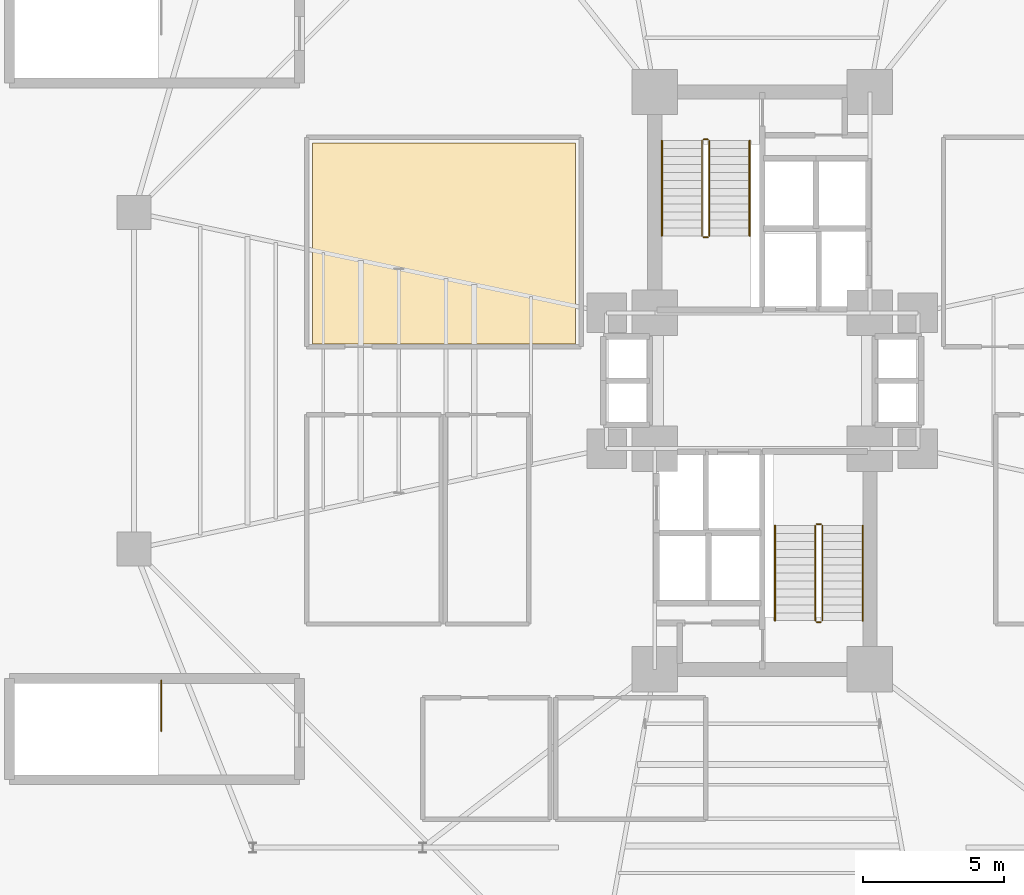
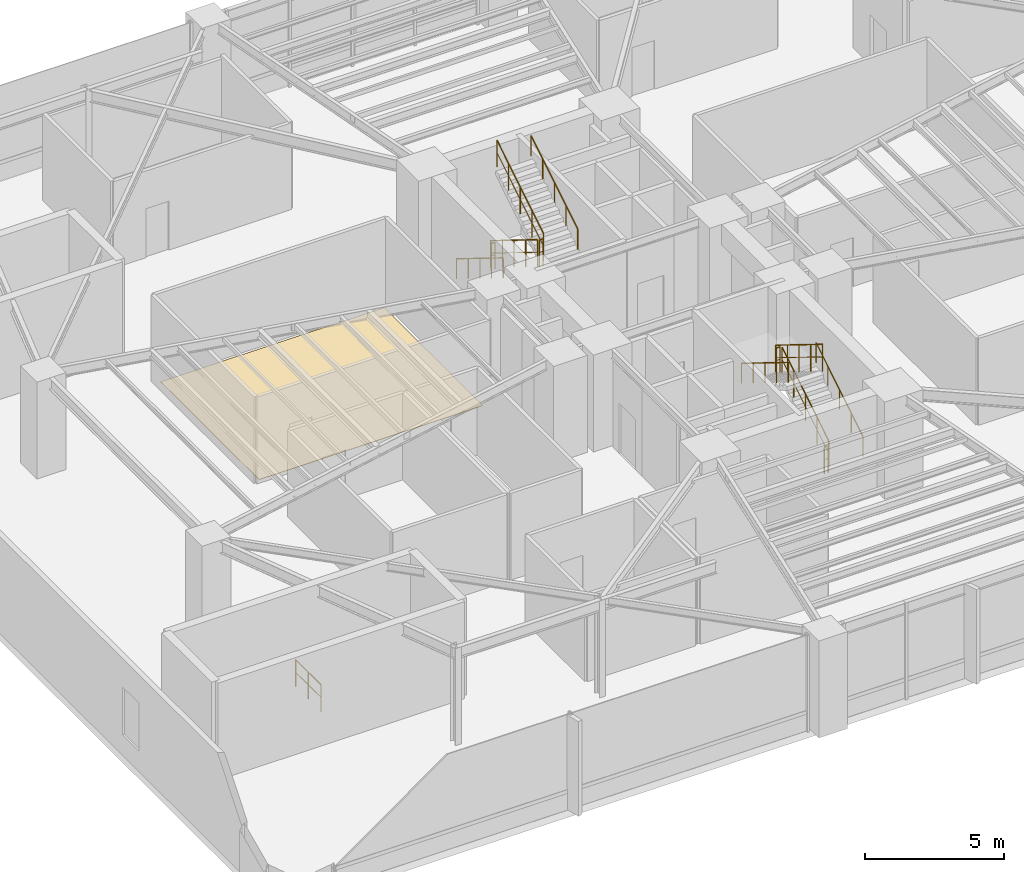
# One storey, part 25 of 26: 13 railings, 1 covering.
"""IFC4 building model written with IfcOpenShell, lengths in metres."""

from ifc_helpers import new_model, si_unit, direction, frame, origin, origin_2d, place, context, subcontext, project, spatial, polyline, circle, outline, extrude, material, layer, layer_set, type_object, element, save


model = new_model("IFC4")

# Units and contexts
model_context = context("Model", 3, precision=1e-05, world=origin(), true_north=direction((0.0, 1.0)))
body_context = subcontext(model_context, "Body", "Model", "MODEL_VIEW")
ifc_project = project(units=[si_unit("LENGTHUNIT", "METRE"), si_unit("AREAUNIT", "SQUARE_METRE"), si_unit("VOLUMEUNIT", "CUBIC_METRE"), si_unit("PLANEANGLEUNIT", "RADIAN"), si_unit("MASSUNIT", "GRAM", prefix="KILO")], contexts=[model_context])

# Site, building, storey
site_placement = place(None, origin())
site = spatial("IfcSite", under=ifc_project, at=site_placement, CompositionType="ELEMENT")
building_placement = place(site_placement, origin())
building = spatial("IfcBuilding", under=site, at=building_placement, Name="Sahyath Konkavel Grand Hotel", CompositionType="ELEMENT")
storey_placement = place(building_placement, frame((0.0, 0.0, 18.60009765625)))
storey = spatial("IfcBuildingStorey", under=building, at=storey_placement, Name="L04", CompositionType="ELEMENT", Elevation=18.60009765625)

# Covering
ifc_material_1 = material(Name="Honed Deccan Basalt and Warm Sandstone Flooring", Category="masonry")
ifc_layer = layer(ifc_material_1, 0.02001953125)
ifc_layer_set = layer_set([ifc_layer], Name="Honed Deccan Basalt and Warm Sandstone Flooring")
covering_type = type_object("IfcCoveringType", Name="COV-STONE-FLR", PredefinedType="FLOORING", material=ifc_layer_set)
covering_placement = place(storey_placement, origin())
element("IfcCovering", 1, at=covering_placement, inside=storey, type_object=covering_type, Name="L04 Spa Basalt Stone Flooring", PredefinedType="FLOORING", context=body_context, shape_type="SweptSolid", body=[
    extrude(outline(polyline([(-15.89990234375, 1.300048828125), (-6.60009765625, 1.300048828125), (-6.60009765625, 8.39990234375), (-15.89990234375, 8.39990234375), (-15.89990234375, 1.300048828125)])), origin(), (0.0, 0.0, 1.0), 0.02001953125),
])

# Railings
ifc_material_2 = material(Name="Steel E350", Category="steel")
railing_type_1 = type_object("IfcRailingType", Name="RLG-STAIR-GRD", PredefinedType="GUARDRAIL", material=ifc_material_2)
railing_1_placement = place(storey_placement, frame((-2.1298828125, 8.47998046875, 0.173095703125)))
element("IfcRailing", 2, at=railing_1_placement, inside=storey, type_object=railing_type_1, Name="L04 ST-1 stair guard 1", PredefinedType="GUARDRAIL", context=body_context, shape_type="SweptSolid", body=[
    extrude(circle(Radius=0.02392578125, at=origin_2d()), frame((0.0, -0.001708984375, 1.177001953125), z_axis=(0.0, -0.850606129759, 0.525803396734), x_axis=(1.0, 0.0, 0.0)), (0.0, 0.0, 1.0), 3.946044921875),
    extrude(circle(Radius=0.01416015625, at=origin_2d()), frame((0.0, -0.001708984375, 0.625), z_axis=(0.0, -0.850606129759, 0.525803396734), x_axis=(1.0, 0.0, 0.0)), (0.0, 0.0, 1.0), 3.946044921875),
    extrude(circle(Radius=0.02099609375, at=origin_2d()), origin(), (0.0, 0.0, 1.0), 1.15185546875),
    extrude(circle(Radius=0.02099609375, at=origin_2d()), frame((0.0, -0.83984375, 0.519287109375)), (0.0, 0.0, 1.0), 1.15185546875),
    extrude(circle(Radius=0.02099609375, at=origin_2d()), frame((0.0, -1.679931640625, 1.03857421875)), (0.0, 0.0, 1.0), 1.15185546875),
    extrude(circle(Radius=0.02099609375, at=origin_2d()), frame((0.0, -2.52001953125, 1.5576171875)), (0.0, 0.0, 1.0), 1.15185546875),
    extrude(circle(Radius=0.02099609375, at=origin_2d()), frame((0.0, -3.35986328125, 2.076904296875)), (0.0, 0.0, 1.0), 1.15185546875),
])
railing_2_placement = place(storey_placement, frame((-2.080078125, 5.070068359375, 2.25)))
element("IfcRailing", 3, at=railing_2_placement, inside=storey, type_object=railing_type_1, Name="L04 ST-1 stair guard 2", PredefinedType="GUARDRAIL", context=body_context, shape_type="SweptSolid", body=[
    extrude(circle(Radius=0.02392578125, at=origin_2d()), frame((0.001953125, 0.0, 1.17578125), z_axis=(1.0, 0.0, 0.0), x_axis=(0.0, 1.0, 0.0)), (0.0, 0.0, 1.0), 0.15625),
    extrude(circle(Radius=0.01416015625, at=origin_2d()), frame((0.001953125, 0.0, 0.6240234375), z_axis=(1.0, 0.0, 0.0), x_axis=(0.0, 1.0, 0.0)), (0.0, 0.0, 1.0), 0.15625),
    extrude(circle(Radius=0.02099609375, at=origin_2d()), origin(), (0.0, 0.0, 1.0), 1.15185546875),
    extrude(circle(Radius=0.02099609375, at=origin_2d()), frame((0.16015625, 0.0, 0.0)), (0.0, 0.0, 1.0), 1.15185546875),
])
railing_3_placement = place(storey_placement, frame((-1.8701171875, 5.1201171875, 2.423095703125)))
element("IfcRailing", 4, at=railing_3_placement, inside=storey, type_object=railing_type_1, Name="L04 ST-1 stair guard 3", PredefinedType="GUARDRAIL", context=body_context, shape_type="SweptSolid", body=[
    extrude(circle(Radius=0.02392578125, at=origin_2d()), frame((0.0, 0.001708984375, 1.177001953125), z_axis=(0.0, 0.850606129759, 0.525803396734), x_axis=(-1.0, 0.0, 0.0)), (0.0, 0.0, 1.0), 3.946044921875),
    extrude(circle(Radius=0.01416015625, at=origin_2d()), frame((0.0, 0.001708984375, 0.625), z_axis=(0.0, 0.850606129759, 0.525803396734), x_axis=(-1.0, 0.0, 0.0)), (0.0, 0.0, 1.0), 3.946044921875),
    extrude(circle(Radius=0.02099609375, at=origin_2d()), origin(), (0.0, 0.0, 1.0), 1.15185546875),
    extrude(circle(Radius=0.02099609375, at=origin_2d()), frame((0.0, 0.83984375, 0.519287109375)), (0.0, 0.0, 1.0), 1.15185546875),
    extrude(circle(Radius=0.02099609375, at=origin_2d()), frame((0.0, 1.679931640625, 1.03857421875)), (0.0, 0.0, 1.0), 1.15185546875),
    extrude(circle(Radius=0.02099609375, at=origin_2d()), frame((0.0, 2.52001953125, 1.5576171875)), (0.0, 0.0, 1.0), 1.15185546875),
    extrude(circle(Radius=0.02099609375, at=origin_2d()), frame((0.0, 3.35986328125, 2.076904296875)), (0.0, 0.0, 1.0), 1.15185546875),
])
railing_4_placement = place(storey_placement, frame((-2.080078125, 8.530029296875, 0.0)))
element("IfcRailing", 5, at=railing_4_placement, inside=storey, type_object=railing_type_1, Name="L04 ST-1 stair guard 4", PredefinedType="GUARDRAIL", context=body_context, shape_type="SweptSolid", body=[
    extrude(circle(Radius=0.02392578125, at=origin_2d()), frame((0.001953125, 0.0, 1.17578125), z_axis=(1.0, 0.0, 0.0), x_axis=(0.0, 1.0, 0.0)), (0.0, 0.0, 1.0), 0.15625),
    extrude(circle(Radius=0.01416015625, at=origin_2d()), frame((0.001953125, 0.0, 0.6240234375), z_axis=(1.0, 0.0, 0.0), x_axis=(0.0, 1.0, 0.0)), (0.0, 0.0, 1.0), 0.15625),
    extrude(circle(Radius=0.02099609375, at=origin_2d()), origin(), (0.0, 0.0, 1.0), 1.15185546875),
    extrude(circle(Radius=0.02099609375, at=origin_2d()), frame((0.16015625, 0.0, 0.0)), (0.0, 0.0, 1.0), 1.15185546875),
])
railing_5_placement = place(storey_placement, frame((2.1298828125, -8.47998046875, 0.173095703125)))
element("IfcRailing", 6, at=railing_5_placement, inside=storey, type_object=railing_type_1, Name="L04 ST-2 stair guard 1", PredefinedType="GUARDRAIL", context=body_context, shape_type="SweptSolid", body=[
    extrude(circle(Radius=0.02392578125, at=origin_2d()), frame((0.0, 0.001708984375, 1.177001953125), z_axis=(0.0, 0.850606129759, 0.525803396734), x_axis=(-1.0, 0.0, 0.0)), (0.0, 0.0, 1.0), 3.946044921875),
    extrude(circle(Radius=0.01416015625, at=origin_2d()), frame((0.0, 0.001708984375, 0.625), z_axis=(0.0, 0.850606129759, 0.525803396734), x_axis=(-1.0, 0.0, 0.0)), (0.0, 0.0, 1.0), 3.946044921875),
    extrude(circle(Radius=0.02099609375, at=origin_2d()), origin(), (0.0, 0.0, 1.0), 1.15185546875),
    extrude(circle(Radius=0.02099609375, at=origin_2d()), frame((0.0, 0.83984375, 0.519287109375)), (0.0, 0.0, 1.0), 1.15185546875),
    extrude(circle(Radius=0.02099609375, at=origin_2d()), frame((0.0, 1.679931640625, 1.03857421875)), (0.0, 0.0, 1.0), 1.15185546875),
    extrude(circle(Radius=0.02099609375, at=origin_2d()), frame((0.0, 2.52001953125, 1.5576171875)), (0.0, 0.0, 1.0), 1.15185546875),
    extrude(circle(Radius=0.02099609375, at=origin_2d()), frame((0.0, 3.35986328125, 2.076904296875)), (0.0, 0.0, 1.0), 1.15185546875),
])
railing_6_placement = place(storey_placement, frame((2.080078125, -5.070068359375, 2.25)))
element("IfcRailing", 7, at=railing_6_placement, inside=storey, type_object=railing_type_1, Name="L04 ST-2 stair guard 2", PredefinedType="GUARDRAIL", context=body_context, shape_type="SweptSolid", body=[
    extrude(circle(Radius=0.02392578125, at=origin_2d()), frame((-0.001953125, 0.0, 1.17578125), z_axis=(-1.0, 0.0, 0.0), x_axis=(0.0, -1.0, 0.0)), (0.0, 0.0, 1.0), 0.15625),
    extrude(circle(Radius=0.01416015625, at=origin_2d()), frame((-0.001953125, 0.0, 0.6240234375), z_axis=(-1.0, 0.0, 0.0), x_axis=(0.0, -1.0, 0.0)), (0.0, 0.0, 1.0), 0.15625),
    extrude(circle(Radius=0.02099609375, at=origin_2d()), origin(), (0.0, 0.0, 1.0), 1.15185546875),
    extrude(circle(Radius=0.02099609375, at=origin_2d()), frame((-0.16015625, 0.0, 0.0)), (0.0, 0.0, 1.0), 1.15185546875),
])
railing_7_placement = place(storey_placement, frame((1.8701171875, -5.1201171875, 2.423095703125)))
element("IfcRailing", 8, at=railing_7_placement, inside=storey, type_object=railing_type_1, Name="L04 ST-2 stair guard 3", PredefinedType="GUARDRAIL", context=body_context, shape_type="SweptSolid", body=[
    extrude(circle(Radius=0.02392578125, at=origin_2d()), frame((0.0, -0.001708984375, 1.177001953125), z_axis=(0.0, -0.850606129759, 0.525803396734), x_axis=(1.0, 0.0, 0.0)), (0.0, 0.0, 1.0), 3.946044921875),
    extrude(circle(Radius=0.01416015625, at=origin_2d()), frame((0.0, -0.001708984375, 0.625), z_axis=(0.0, -0.850606129759, 0.525803396734), x_axis=(1.0, 0.0, 0.0)), (0.0, 0.0, 1.0), 3.946044921875),
    extrude(circle(Radius=0.02099609375, at=origin_2d()), origin(), (0.0, 0.0, 1.0), 1.15185546875),
    extrude(circle(Radius=0.02099609375, at=origin_2d()), frame((0.0, -0.83984375, 0.519287109375)), (0.0, 0.0, 1.0), 1.15185546875),
    extrude(circle(Radius=0.02099609375, at=origin_2d()), frame((0.0, -1.679931640625, 1.03857421875)), (0.0, 0.0, 1.0), 1.15185546875),
    extrude(circle(Radius=0.02099609375, at=origin_2d()), frame((0.0, -2.52001953125, 1.5576171875)), (0.0, 0.0, 1.0), 1.15185546875),
    extrude(circle(Radius=0.02099609375, at=origin_2d()), frame((0.0, -3.35986328125, 2.076904296875)), (0.0, 0.0, 1.0), 1.15185546875),
])
railing_8_placement = place(storey_placement, frame((2.080078125, -8.530029296875, 0.0)))
element("IfcRailing", 9, at=railing_8_placement, inside=storey, type_object=railing_type_1, Name="L04 ST-2 stair guard 4", PredefinedType="GUARDRAIL", context=body_context, shape_type="SweptSolid", body=[
    extrude(circle(Radius=0.02392578125, at=origin_2d()), frame((-0.001953125, 0.0, 1.17578125), z_axis=(-1.0, 0.0, 0.0), x_axis=(0.0, -1.0, 0.0)), (0.0, 0.0, 1.0), 0.15625),
    extrude(circle(Radius=0.01416015625, at=origin_2d()), frame((-0.001953125, 0.0, 0.6240234375), z_axis=(-1.0, 0.0, 0.0), x_axis=(0.0, -1.0, 0.0)), (0.0, 0.0, 1.0), 0.15625),
    extrude(circle(Radius=0.02099609375, at=origin_2d()), origin(), (0.0, 0.0, 1.0), 1.15185546875),
    extrude(circle(Radius=0.02099609375, at=origin_2d()), frame((-0.16015625, 0.0, 0.0)), (0.0, 0.0, 1.0), 1.15185546875),
])
railing_9_placement = place(storey_placement, frame((-21.239990234375, -10.580078125, 0.0)))
element("IfcRailing", 10, at=railing_9_placement, inside=storey, type_object=railing_type_1, Name="L04 ST-P3 top well guard 1", PredefinedType="GUARDRAIL", context=body_context, shape_type="SweptSolid", body=[
    extrude(circle(Radius=0.02392578125, at=origin_2d()), frame((0.0, -0.001953125, 1.17578125), z_axis=(0.0, -1.0, 0.0), x_axis=(1.0, 0.0, 0.0)), (0.0, 0.0, 1.0), 1.805908203125),
    extrude(circle(Radius=0.01416015625, at=origin_2d()), frame((0.0, -0.001953125, 0.6240234375), z_axis=(0.0, -1.0, 0.0), x_axis=(1.0, 0.0, 0.0)), (0.0, 0.0, 1.0), 1.805908203125),
    extrude(circle(Radius=0.02099609375, at=origin_2d()), origin(), (0.0, 0.0, 1.0), 1.15185546875),
    extrude(circle(Radius=0.02099609375, at=origin_2d()), frame((0.0, -0.90478515625, 0.0)), (0.0, 0.0, 1.0), 1.15185546875),
    extrude(circle(Radius=0.02099609375, at=origin_2d()), frame((0.0, -1.809814453125, 0.0)), (0.0, 0.0, 1.0), 1.15185546875),
])
ifc_material_3 = material(Name="Anodised Bronze Aluminium", Category="aluminium")
railing_type_2 = type_object("IfcRailingType", Name="RLG-STAIR-HND", PredefinedType="HANDRAIL", material=ifc_material_3)
railing_10_placement = place(storey_placement, frame((-3.550048828125, 8.47998046875, 0.173095703125)))
element("IfcRailing", 11, at=railing_10_placement, inside=storey, type_object=railing_type_2, Name="L04 ST-1 stair handrail 1", PredefinedType="HANDRAIL", context=body_context, shape_type="SweptSolid", body=[
    extrude(circle(Radius=0.02392578125, at=origin_2d()), frame((0.0, -0.001708984375, 0.876953125), z_axis=(0.0, -0.850606129759, 0.525803396734), x_axis=(1.0, 0.0, 0.0)), (0.0, 0.0, 1.0), 3.946044921875),
    extrude(circle(Radius=0.02099609375, at=origin_2d()), origin(), (0.0, 0.0, 1.0), 0.851806640625),
    extrude(circle(Radius=0.02099609375, at=origin_2d()), frame((0.0, -0.83984375, 0.519287109375)), (0.0, 0.0, 1.0), 0.851806640625),
    extrude(circle(Radius=0.02099609375, at=origin_2d()), frame((0.0, -1.679931640625, 1.03857421875)), (0.0, 0.0, 1.0), 0.851806640625),
    extrude(circle(Radius=0.02099609375, at=origin_2d()), frame((0.0, -2.52001953125, 1.5576171875)), (0.0, 0.0, 1.0), 0.851806640625),
    extrude(circle(Radius=0.02099609375, at=origin_2d()), frame((0.0, -3.35986328125, 2.076904296875)), (0.0, 0.0, 1.0), 0.851806640625),
])
for number, where, name in (
    (12, (-0.449951171875, 5.1201171875, 2.423095703125), "L04 ST-1 stair handrail 2"),
    (13, (3.550048828125, -8.47998046875, 0.173095703125), "L04 ST-2 stair handrail 1"),
):
    element("IfcRailing", number, at=place(storey_placement, frame(where)), inside=storey, type_object=railing_type_2, Name=name, PredefinedType="HANDRAIL", context=body_context, shape_type="SweptSolid", body=[
        extrude(circle(Radius=0.02392578125, at=origin_2d()), frame((0.0, 0.001708984375, 0.876953125), z_axis=(0.0, 0.850606129759, 0.525803396734), x_axis=(-1.0, 0.0, 0.0)), (0.0, 0.0, 1.0), 3.946044921875),
        extrude(circle(Radius=0.02099609375, at=origin_2d()), origin(), (0.0, 0.0, 1.0), 0.851806640625),
        extrude(circle(Radius=0.02099609375, at=origin_2d()), frame((0.0, 0.83984375, 0.519287109375)), (0.0, 0.0, 1.0), 0.851806640625),
        extrude(circle(Radius=0.02099609375, at=origin_2d()), frame((0.0, 1.679931640625, 1.03857421875)), (0.0, 0.0, 1.0), 0.851806640625),
        extrude(circle(Radius=0.02099609375, at=origin_2d()), frame((0.0, 2.52001953125, 1.5576171875)), (0.0, 0.0, 1.0), 0.851806640625),
        extrude(circle(Radius=0.02099609375, at=origin_2d()), frame((0.0, 3.35986328125, 2.076904296875)), (0.0, 0.0, 1.0), 0.851806640625),
    ])
railing_11_placement = place(storey_placement, frame((0.449951171875, -5.1201171875, 2.423095703125)))
element("IfcRailing", 14, at=railing_11_placement, inside=storey, type_object=railing_type_2, Name="L04 ST-2 stair handrail 2", PredefinedType="HANDRAIL", context=body_context, shape_type="SweptSolid", body=[
    extrude(circle(Radius=0.02392578125, at=origin_2d()), frame((0.0, -0.001708984375, 0.876953125), z_axis=(0.0, -0.850606129759, 0.525803396734), x_axis=(1.0, 0.0, 0.0)), (0.0, 0.0, 1.0), 3.946044921875),
    extrude(circle(Radius=0.02099609375, at=origin_2d()), origin(), (0.0, 0.0, 1.0), 0.851806640625),
    extrude(circle(Radius=0.02099609375, at=origin_2d()), frame((0.0, -0.83984375, 0.519287109375)), (0.0, 0.0, 1.0), 0.851806640625),
    extrude(circle(Radius=0.02099609375, at=origin_2d()), frame((0.0, -1.679931640625, 1.03857421875)), (0.0, 0.0, 1.0), 0.851806640625),
    extrude(circle(Radius=0.02099609375, at=origin_2d()), frame((0.0, -2.52001953125, 1.5576171875)), (0.0, 0.0, 1.0), 0.851806640625),
    extrude(circle(Radius=0.02099609375, at=origin_2d()), frame((0.0, -3.35986328125, 2.076904296875)), (0.0, 0.0, 1.0), 0.851806640625),
])

save(model, "model.ifc")
